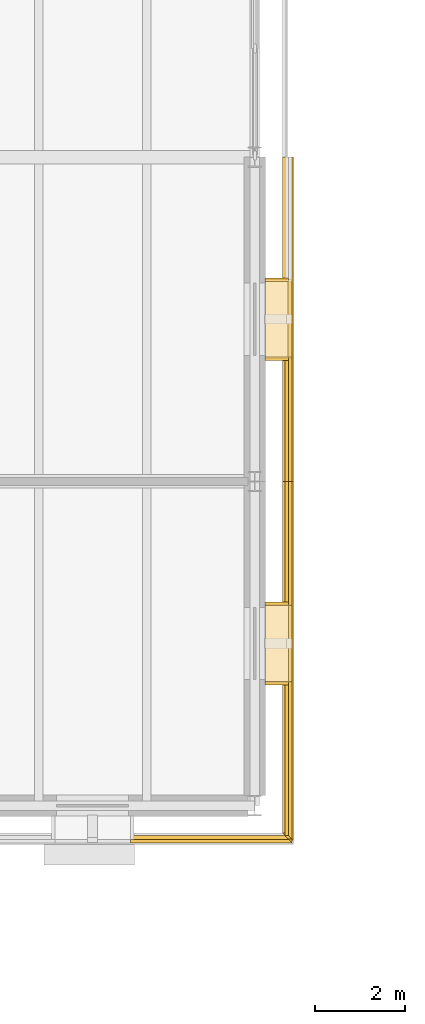
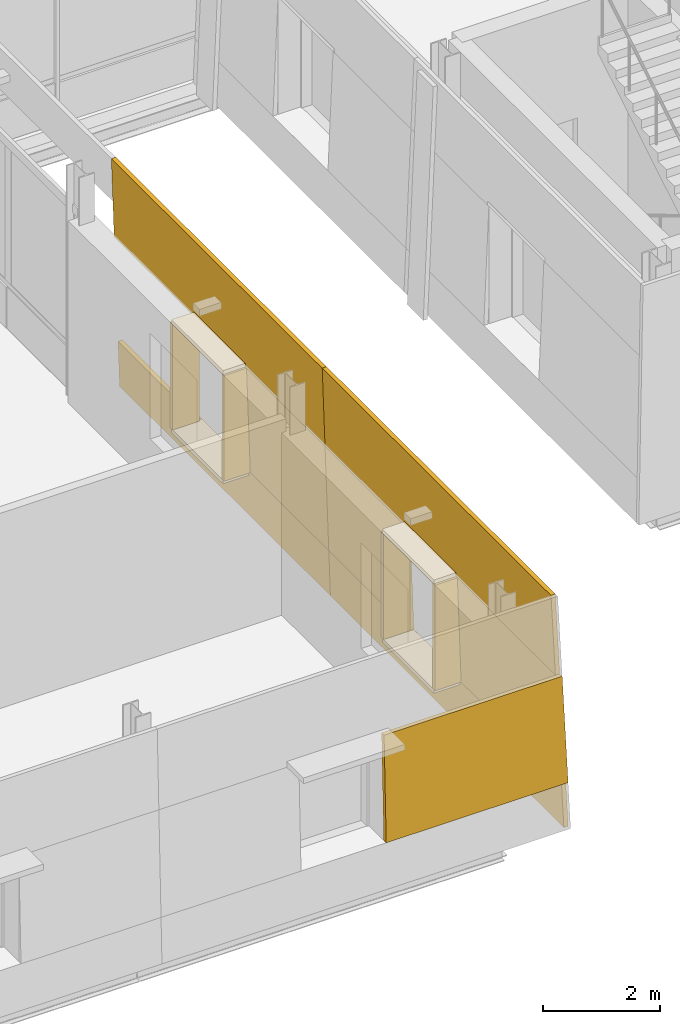
# One storey, part 104 of 121: 16 coverings.
"""IFC4 building model written with IfcOpenShell, lengths in metres."""

from ifc_helpers import new_model, si_unit, direction, frame, origin, place, context, subcontext, project, spatial, polyline, outline, extrude, material, layer, layer_set, type_object, element, save


model = new_model("IFC4")

# Units and contexts
model_context = context("Model", 3, precision=1e-05, world=origin(), true_north=direction((0.0, 1.0)))
body_context = subcontext(model_context, "Body", "Model", "MODEL_VIEW")
ifc_project = project(units=[si_unit("LENGTHUNIT", "METRE"), si_unit("AREAUNIT", "SQUARE_METRE"), si_unit("VOLUMEUNIT", "CUBIC_METRE"), si_unit("PLANEANGLEUNIT", "RADIAN"), si_unit("MASSUNIT", "GRAM", prefix="KILO")], contexts=[model_context])

# Site, building, storey
site_placement = place(None, origin())
site = spatial("IfcSite", under=ifc_project, at=site_placement, CompositionType="ELEMENT")
building_placement = place(site_placement, origin())
building = spatial("IfcBuilding", under=site, at=building_placement, Name="Narikvali Park Central Library", CompositionType="ELEMENT")
storey_placement = place(building_placement, frame((0.0, 0.0, 5.39990234375)))
storey = spatial("IfcBuildingStorey", under=building, at=storey_placement, Name="L01", CompositionType="ELEMENT", Elevation=5.39990234375)

# Coverings
ifc_material = material(Name="White Honed Limestone Cladding", Category="masonry")
ifc_layer_1 = layer(ifc_material, 0.0849609375, Name="White Honed Limestone Cladding")
ifc_layer_set_1 = layer_set([ifc_layer_1], Name="White Honed Limestone Cladding")
covering_type_1 = type_object("IfcCoveringType", Name="Battered White Limestone Facade Cladding Panel", PredefinedType="CLADDING", material=ifc_layer_set_1)
covering_1_placement = place(storey_placement, frame((54.840087890625, 49.573974609375, 0.9501953125), z_axis=(0.0, -0.999435139525, 0.033606574995), x_axis=(1.0, 0.0, 0.0)))
element("IfcCovering", 1, at=covering_1_placement, inside=storey, type_object=covering_type_1, Name="V4 L01 S Battered Limestone Jamb Pier R B04", PredefinedType="CLADDING", context=body_context, shape_type="SweptSolid", body=[
    extrude(outline(polyline([(0.0, 0.0), (3.5859375, 0.0), (3.511962890625, 2.2011945396684887), (0.0, 2.2011945396684887), (0.0, 0.0)])), origin(), (0.0, 0.0, -1.0), 0.0849609375),
])
covering_2_placement = place(storey_placement, frame((58.4580078125, 49.626953125, 0.0), z_axis=(0.999434023877, 0.0, 0.033639737186), x_axis=(0.0, 1.0, 0.0)))
element("IfcCovering", 2, at=covering_2_placement, inside=storey, type_object=covering_type_1, Name="V4 L01 E Battered Limestone Spandrel B01", PredefinedType="CLADDING", context=body_context, shape_type="SweptSolid", body=[
    extrude(outline(polyline([(0.0, 0.0), (7.97314453125, 0.0), (7.97314453125, 0.9507334049069504), (0.031982421875, 0.9507334049069504), (0.0, 0.0)])), origin(), (0.0, 0.0, -1.0), 0.0849609375),
])
covering_3_placement = place(storey_placement, frame((58.35205078125, 49.73291015625, 3.150146484375), z_axis=(0.999431366072, 0.0, 0.033718607793), x_axis=(0.0, 1.0, 0.0)))
element("IfcCovering", 3, at=covering_3_placement, inside=storey, type_object=covering_type_1, Name="V4 L01 E Battered Limestone Lintel B01", PredefinedType="CLADDING", context=body_context, shape_type="SweptSolid", body=[
    extrude(outline(polyline([(0.0, 0.0), (7.8671875, 0.0), (7.8671875, 1.6508410679910246), (0.0556640625, 1.6508410679910246), (0.0, 0.0)])), origin(), (0.0, 0.0, -1.0), 0.0849609375),
])
covering_4_placement = place(storey_placement, frame((58.426025390625, 49.658935546875, 0.9501953125), z_axis=(0.999435139525, 0.0, 0.033606574995), x_axis=(0.0, 1.0, 0.0)))
element("IfcCovering", 4, at=covering_4_placement, inside=storey, type_object=covering_type_1, Name="V4 L01 E Battered Limestone Jamb Pier L B01", PredefinedType="CLADDING", context=body_context, shape_type="SweptSolid", body=[
    extrude(outline(polyline([(0.0, 0.0), (3.5009765625, 0.0), (3.5009765625, 2.2011945396684887), (0.073974609375, 2.2011945396684887), (0.0, 0.0)])), origin(), (0.0, 0.0, -1.0), 0.0849609375),
])
covering_5_placement = place(storey_placement, frame((58.426025390625, 54.840087890625, 0.9501953125), z_axis=(0.999435139525, 0.0, 0.033606574995), x_axis=(0.0, 1.0, 0.0)))
element("IfcCovering", 5, at=covering_5_placement, inside=storey, type_object=covering_type_1, Name="V4 L01 E Battered Limestone Jamb Pier R B01", PredefinedType="CLADDING", context=body_context, shape_type="SweptSolid", body=[
    extrude(outline(polyline([(0.0, 0.0), (2.760009765625, 0.0), (2.760009765625, 2.201194539668489), (0.0, 2.201194539668489), (0.0, 0.0)])), origin(), (0.0, 0.0, -1.0), 0.0849609375),
])
covering_6_placement = place(storey_placement, frame((58.4580078125, 57.60009765625, 0.0), z_axis=(0.999434023877, 0.0, 0.033639737186), x_axis=(0.0, 1.0, 0.0)))
element("IfcCovering", 6, at=covering_6_placement, inside=storey, type_object=covering_type_1, Name="V4 L01 E Battered Limestone Spandrel B02", PredefinedType="CLADDING", context=body_context, shape_type="SweptSolid", body=[
    extrude(outline(polyline([(0.0, 0.0), (7.199951171875, 0.0), (7.199951171875, 0.9507334049069504), (0.0, 0.9507334049069504), (0.0, 0.0)])), origin(), (0.0, 0.0, -1.0), 0.0849609375),
])
covering_7_placement = place(storey_placement, frame((58.35205078125, 57.60009765625, 3.150146484375), z_axis=(0.999431366072, 0.0, 0.033718607793), x_axis=(0.0, 1.0, 0.0)))
element("IfcCovering", 7, at=covering_7_placement, inside=storey, type_object=covering_type_1, Name="V4 L01 E Battered Limestone Lintel B02", PredefinedType="CLADDING", context=body_context, shape_type="SweptSolid", body=[
    extrude(outline(polyline([(0.0, 0.0), (7.199951171875, 0.0), (7.199951171875, 1.6508410679910248), (0.0, 1.6508410679910248), (0.0, 0.0)])), origin(), (0.0, 0.0, -1.0), 0.0849609375),
])
covering_8_placement = place(storey_placement, frame((58.426025390625, 57.60009765625, 0.9501953125), z_axis=(0.999435139525, 0.0, 0.033606574995), x_axis=(0.0, 1.0, 0.0)))
element("IfcCovering", 8, at=covering_8_placement, inside=storey, type_object=covering_type_1, Name="V4 L01 E Battered Limestone Jamb Pier L B02", PredefinedType="CLADDING", context=body_context, shape_type="SweptSolid", body=[
    extrude(outline(polyline([(0.0, 0.0), (2.760009765625, 0.0), (2.760009765625, 2.201194539668489), (0.0, 2.201194539668489), (0.0, 0.0)])), origin(), (0.0, 0.0, -1.0), 0.0849609375),
])
ifc_layer_2 = layer(ifc_material, 0.080078125, Name="White Honed Limestone Cladding")
ifc_layer_set_2 = layer_set([ifc_layer_2], Name="White Honed Limestone Cladding")
covering_type_2 = type_object("IfcCoveringType", Name="Deep Carved White Limestone Window Reveal", PredefinedType="CLADDING", material=ifc_layer_set_2)
covering_9_placement = place(storey_placement, frame((0.0, 0.0, 3.150146484375)))
element("IfcCovering", 9, at=covering_9_placement, inside=storey, type_object=covering_type_2, Name="Deep Stone Reveal Head V4-RVL-L01-E-B01", PredefinedType="CLADDING", context=body_context, shape_type="SweptSolid", body=[
    extrude(outline(polyline([(57.824951171875, 53.1201171875), (57.824951171875, 54.8798828125), (58.35205078125, 54.8798828125), (58.35205078125, 53.1201171875), (57.824951171875, 53.1201171875)])), origin(), (0.0, 0.0, 1.0), 0.079833984375),
])
covering_10_placement = place(storey_placement, frame((0.0, 0.0, 0.8701171875)))
element("IfcCovering", 10, at=covering_10_placement, inside=storey, type_object=covering_type_2, Name="Deep Stone Reveal Sill V4-RVL-L01-E-B01", PredefinedType="CLADDING", context=body_context, shape_type="SweptSolid", body=[
    extrude(outline(polyline([(57.824951171875, 53.1201171875), (57.824951171875, 54.8798828125), (58.426025390625, 54.8798828125), (58.426025390625, 53.1201171875), (57.824951171875, 53.1201171875)])), origin(), (0.0, 0.0, 1.0), 0.080078125),
])
covering_11_placement = place(storey_placement, frame((0.0, 0.0, 0.9501953125)))
element("IfcCovering", 11, at=covering_11_placement, inside=storey, type_object=covering_type_2, Name="Deep Stone Reveal Jamb L V4-RVL-L01-E-B01", PredefinedType="CLADDING", context=body_context, shape_type="SweptSolid", body=[
    extrude(outline(polyline([(57.824951171875, 53.080078125), (57.824951171875, 53.159912109375), (58.35205078125, 53.159912109375), (58.35205078125, 53.080078125), (57.824951171875, 53.080078125)])), origin(), (0.0, 0.0, 1.0), 2.199951171875),
])
covering_12_placement = place(storey_placement, frame((0.0, 0.0, 0.9501953125)))
element("IfcCovering", 12, at=covering_12_placement, inside=storey, type_object=covering_type_2, Name="Deep Stone Reveal Jamb R V4-RVL-L01-E-B01", PredefinedType="CLADDING", context=body_context, shape_type="SweptSolid", body=[
    extrude(outline(polyline([(57.824951171875, 54.840087890625), (57.824951171875, 54.919921875), (58.35205078125, 54.919921875), (58.35205078125, 54.840087890625), (57.824951171875, 54.840087890625)])), origin(), (0.0, 0.0, 1.0), 2.199951171875),
])
covering_13_placement = place(storey_placement, frame((0.0, 0.0, 3.150146484375)))
element("IfcCovering", 13, at=covering_13_placement, inside=storey, type_object=covering_type_2, Name="Deep Stone Reveal Head V4-RVL-L01-E-B02", PredefinedType="CLADDING", context=body_context, shape_type="SweptSolid", body=[
    extrude(outline(polyline([(57.824951171875, 60.320068359375), (57.824951171875, 62.080078125), (58.35205078125, 62.080078125), (58.35205078125, 60.320068359375), (57.824951171875, 60.320068359375)])), origin(), (0.0, 0.0, 1.0), 0.079833984375),
])
covering_14_placement = place(storey_placement, frame((0.0, 0.0, 0.8701171875)))
element("IfcCovering", 14, at=covering_14_placement, inside=storey, type_object=covering_type_2, Name="Deep Stone Reveal Sill V4-RVL-L01-E-B02", PredefinedType="CLADDING", context=body_context, shape_type="SweptSolid", body=[
    extrude(outline(polyline([(57.824951171875, 60.320068359375), (57.824951171875, 62.080078125), (58.426025390625, 62.080078125), (58.426025390625, 60.320068359375), (57.824951171875, 60.320068359375)])), origin(), (0.0, 0.0, 1.0), 0.080078125),
])
covering_15_placement = place(storey_placement, frame((0.0, 0.0, 0.9501953125)))
element("IfcCovering", 15, at=covering_15_placement, inside=storey, type_object=covering_type_2, Name="Deep Stone Reveal Jamb L V4-RVL-L01-E-B02", PredefinedType="CLADDING", context=body_context, shape_type="SweptSolid", body=[
    extrude(outline(polyline([(57.824951171875, 60.280029296875), (57.824951171875, 60.360107421875), (58.35205078125, 60.360107421875), (58.35205078125, 60.280029296875), (57.824951171875, 60.280029296875)])), origin(), (0.0, 0.0, 1.0), 2.199951171875),
])
covering_16_placement = place(storey_placement, frame((0.0, 0.0, 0.9501953125)))
element("IfcCovering", 16, at=covering_16_placement, inside=storey, type_object=covering_type_2, Name="Deep Stone Reveal Jamb R V4-RVL-L01-E-B02", PredefinedType="CLADDING", context=body_context, shape_type="SweptSolid", body=[
    extrude(outline(polyline([(57.824951171875, 62.0400390625), (57.824951171875, 62.1201171875), (58.35205078125, 62.1201171875), (58.35205078125, 62.0400390625), (57.824951171875, 62.0400390625)])), origin(), (0.0, 0.0, 1.0), 2.199951171875),
])

save(model, "model.ifc")
